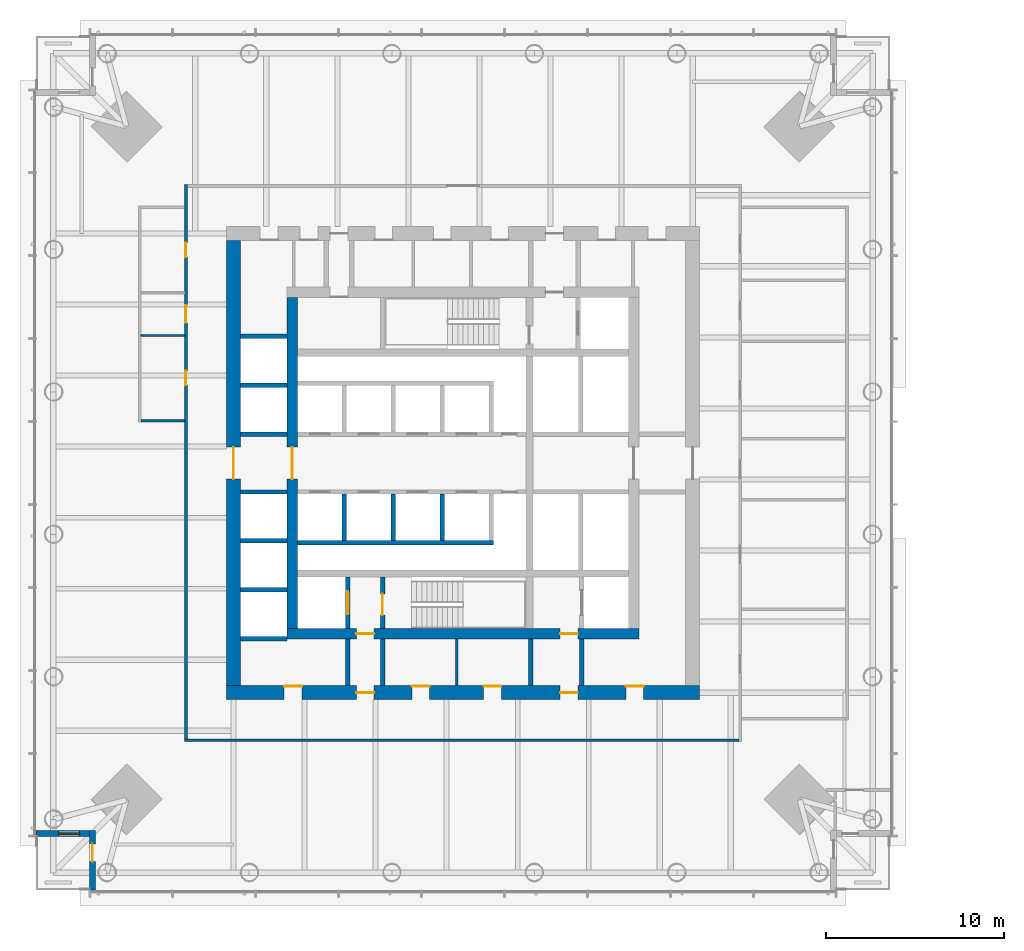
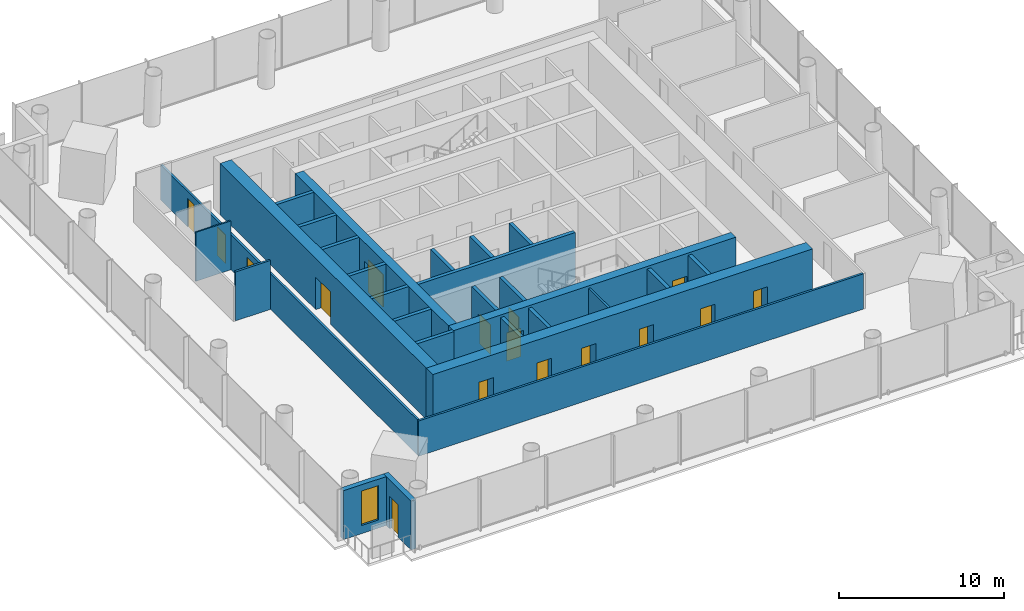
# One storey, part 9 of 26: 28 walls, 16 doors, 1 window, 17 openings.
"""IFC4 building model written with IfcOpenShell, lengths in metres."""

from ifc_helpers import new_model, si_unit, direction, frame, frame_2d, origin, place, context, subcontext, project, spatial, rectangle, extrude, material, layer, layer_set, type_object, element, fill, save


model = new_model("IFC4")

# Units and contexts
model_context = context("Model", 3, precision=1e-05, world=origin(), true_north=direction((0.0, 1.0)))
body_context = subcontext(model_context, "Body", "Model", "MODEL_VIEW")
ifc_project = project(units=[si_unit("LENGTHUNIT", "METRE"), si_unit("AREAUNIT", "SQUARE_METRE"), si_unit("VOLUMEUNIT", "CUBIC_METRE"), si_unit("PLANEANGLEUNIT", "RADIAN"), si_unit("MASSUNIT", "GRAM", prefix="KILO")], contexts=[model_context])

# Site, building, storey
site_placement = place(None, origin())
site = spatial("IfcSite", under=ifc_project, at=site_placement, CompositionType="ELEMENT")
building_placement = place(site_placement, origin())
building = spatial("IfcBuilding", under=site, at=building_placement, Name="Ostroluk Exchange", CompositionType="ELEMENT")
storey_placement = place(building_placement, frame((0.0, 0.0, 51.39990234375)))
storey = spatial("IfcBuildingStorey", under=building, at=storey_placement, Name="L12", CompositionType="ELEMENT", Elevation=51.39990234375)

# Walls
ifc_material_1 = material(Name="Concrete blockwork", Category="masonry")
ifc_layer_1 = layer(ifc_material_1, 0.10009765625)
ifc_layer_set_1 = layer_set([ifc_layer_1], Name="Blockwork WC wall 100")
wall_type_1 = type_object("IfcWallType", Name="Blockwork WC wall 100", PredefinedType="SOLIDWALL", material=ifc_layer_set_1)
wall_1_placement = place(storey_placement, frame((29.35009765625, 53.175048828125, 0.0), z_axis=(0.0, 0.0, 1.0), x_axis=(-1.0, 0.0, 0.0)))
element("IfcWall", 1, at=wall_1_placement, inside=storey, type_object=wall_type_1, Name="Blockwork WC wall", PredefinedType="SOLIDWALL", context=body_context, shape_type="SweptSolid", body=[
    extrude(rectangle(XDim=2.4501953125, YDim=0.10009765625, at=frame_2d((1.22509765625, 0.0))), origin(), (0.0, 0.0, 1.0), 3.6201171875),
])
ifc_material_2 = material(Name="Concrete blockwork", Category="masonry")
ifc_layer_2 = layer(ifc_material_2, 0.14990234375)
ifc_layer_set_2 = layer_set([ifc_layer_2], Name="Blockwork plant room wall 150")
wall_type_2 = type_object("IfcWallType", Name="Blockwork plant room wall 150", PredefinedType="SOLIDWALL", material=ifc_layer_set_2)
wall_2_placement = place(storey_placement, frame((44.639892578125, 33.5, 0.0), z_axis=(0.0, 0.0, 1.0), x_axis=(0.0, 1.0, 0.0)))
element("IfcWall", 2, at=wall_2_placement, inside=storey, type_object=wall_type_2, Name="Core room wall", PredefinedType="SOLIDWALL", context=body_context, shape_type="SweptSolid", body=[
    extrude(rectangle(XDim=2.60009765625, YDim=0.14990234375, at=frame_2d((1.300048828125, 0.0))), origin(), (0.0, 0.0, 1.0), 3.6201171875),
])
ifc_material_3 = material(Name="Concrete blockwork", Category="masonry")
ifc_layer_3 = layer(ifc_material_3, 0.25)
ifc_layer_set_3 = layer_set([ifc_layer_3], Name="Blockwork stair enclosure wall 250")
wall_type_3 = type_object("IfcWallType", Name="Blockwork stair enclosure wall 250", PredefinedType="SOLIDWALL", material=ifc_layer_set_3)
for number, where, z_axis, x_axis, name in (
    (3, (38.52490234375, 33.5, 0.0), (0.0, 0.0, 1.0), (0.0, 1.0, 0.0), "Fire lobby enclosure wall"),
    (4, (40.47509765625, 33.5, 0.0), (0.0, 0.0, 1.0), (0.0, 1.0, 0.0), "Fire lobby enclosure wall"),
    (5, (48.804931640625, 33.5, 0.0), (0.0, 0.0, 1.0), (0.0, 1.0, 0.0), "Service lobby enclosure wall"),
    (6, (51.675048828125, 33.5, 0.0), (0.0, 0.0, 1.0), (0.0, 1.0, 0.0), "Service lobby enclosure wall"),
):
    element("IfcWall", number, at=place(storey_placement, frame(where, z_axis=z_axis, x_axis=x_axis)), inside=storey, type_object=wall_type_3, Name=name, PredefinedType="SOLIDWALL", context=body_context, shape_type="SweptSolid", body=[
        extrude(rectangle(XDim=2.60009765625, YDim=0.25, at=frame_2d((1.300048828125, 0.0))), origin(), (0.0, 0.0, 1.0), 3.6201171875),
    ])

# Wall, opening, door
ifc_material_4 = material(Name="Concrete C40/50", Category="concrete")
ifc_layer_4 = layer(ifc_material_4, 0.25)
ifc_layer_set_4 = layer_set([ifc_layer_4], Name="Core shaft wall 250")
wall_type_4 = type_object("IfcWallType", Name="Core shaft wall 250", PredefinedType="SHEAR", material=ifc_layer_set_4)
wall_3_placement = place(storey_placement, frame((38.52490234375, 36.699951171875, 0.0), z_axis=(0.0, 0.0, 1.0), x_axis=(0.0, 1.0, 0.0)))
wall_3 = element("IfcWall", 7, at=wall_3_placement, inside=storey, type_object=wall_type_4, Name="Firefighting lift shaft wall", PredefinedType="SHEAR", context=body_context, shape_type="SweptSolid", body=[
    extrude(rectangle(XDim=2.900146484375, YDim=0.25, at=frame_2d((1.4501953125, 0.0))), origin(), (0.0, 0.0, 1.0), 3.800048828125),
])
opening_1_placement = place(wall_3_placement, frame((0.800048828125, 0.0, 0.0)))
opening_1 = element("IfcOpeningElement", 8, at=opening_1_placement, cuts=wall_3, Name="Opening LD2", PredefinedType="OPENING", context=body_context, shape_type="SweptSolid", body=[
    extrude(rectangle(XDim=1.300048828125, YDim=2.199951171875, at=frame_2d((0.64990234375, 1.10009765625))), frame((0.0, 0.135009765625, 0.0), z_axis=(0.0, -1.0, 0.0), x_axis=(1.0, 0.0, 0.0)), (0.0, 0.0, 1.0), 0.27001953125),
])
ifc_material_5 = material(Name="Stainless steel", Category="steel")
door_type_1 = type_object("IfcDoorType", Name="Lift landing door E 60 1300 x 2200", OperationType="DOUBLE_DOOR_SLIDING", PredefinedType="DOOR", material=ifc_material_5)
door_1_placement = place(opening_1_placement, origin())
door_1 = element("IfcDoor", 9, at=door_1_placement, inside=storey, type_object=door_type_1, Name="Lift FL1 landing door", OperationType="DOUBLE_DOOR_SLIDING", OverallHeight=2.199951171875, OverallWidth=1.300048828125, PredefinedType="DOOR", context=body_context, shape_type="SweptSolid", body=[
    extrude(rectangle(XDim=1.300048828125, YDim=2.199951171875, at=frame_2d((0.64990234375, 1.10009765625))), frame((0.0, 0.02490234375, 0.0), z_axis=(0.0, -1.0, 0.0), x_axis=(1.0, 0.0, 0.0)), (0.0, 0.0, 1.0), 0.050048828125),
])
fill(opening_1, door_1)

wall_4_placement = place(storey_placement, frame((40.47509765625, 36.699951171875, 0.0), z_axis=(0.0, 0.0, 1.0), x_axis=(0.0, 1.0, 0.0)))
wall_4 = element("IfcWall", 10, at=wall_4_placement, inside=storey, type_object=wall_type_4, Name="Stair shaft wall", PredefinedType="SHEAR", context=body_context, shape_type="SweptSolid", body=[
    extrude(rectangle(XDim=2.900146484375, YDim=0.25, at=frame_2d((1.4501953125, 0.0))), origin(), (0.0, 0.0, 1.0), 3.800048828125),
])
opening_2_placement = place(wall_4_placement, frame((0.75, 0.0, 0.0)))
opening_2 = element("IfcOpeningElement", 11, at=opening_2_placement, cuts=wall_4, Name="Opening FD60S", PredefinedType="OPENING", context=body_context, shape_type="SweptSolid", body=[
    extrude(rectangle(XDim=1.199951171875, YDim=2.10009765625, at=frame_2d((0.60009765625, 1.050048828125))), frame((0.0, 0.135009765625, 0.0), z_axis=(0.0, -1.0, 0.0), x_axis=(1.0, 0.0, 0.0)), (0.0, 0.0, 1.0), 0.27001953125),
])
ifc_material_6 = material(Name="Steel", Category="steel")
door_type_2 = type_object("IfcDoorType", Name="Stair door EI 60 1200 x 2100", OperationType="SINGLE_SWING_LEFT", PredefinedType="DOOR", material=ifc_material_6)
door_2_placement = place(opening_2_placement, origin())
door_2 = element("IfcDoor", 12, at=door_2_placement, inside=storey, type_object=door_type_2, Name="Stair T1-S1 door", OperationType="SINGLE_SWING_LEFT", OverallHeight=2.10009765625, OverallWidth=1.199951171875, PredefinedType="DOOR", context=body_context, shape_type="SweptSolid", body=[
    extrude(rectangle(XDim=1.199951171875, YDim=2.10009765625, at=frame_2d((0.60009765625, 1.050048828125))), frame((0.0, 0.02490234375, 0.0), z_axis=(0.0, -1.0, 0.0), x_axis=(1.0, 0.0, 0.0)), (0.0, 0.0, 1.0), 0.050048828125),
])
fill(opening_2, door_2)

# Walls
for number, where, z_axis, x_axis, name in (
    (13, (38.324951171875, 44.25, 0.0), (0.0, 0.0, 1.0), (0.0, -1.0, 0.0), "Lift shaft wall"),
    (14, (41.074951171875, 44.25, 0.0), (0.0, 0.0, 1.0), (0.0, -1.0, 0.0), "Lift shaft wall"),
    (15, (43.824951171875, 44.25, 0.0), (0.0, 0.0, 1.0), (0.0, -1.0, 0.0), "Lift shaft wall"),
):
    element("IfcWall", number, at=place(storey_placement, frame(where, z_axis=z_axis, x_axis=x_axis)), inside=storey, type_object=wall_type_4, Name=name, PredefinedType="SHEAR", context=body_context, shape_type="SweptSolid", body=[
        extrude(rectangle(XDim=2.60009765625, YDim=0.25, at=frame_2d((1.300048828125, 0.0))), origin(), (0.0, 0.0, 1.0), 3.800048828125),
    ])
wall_5_placement = place(storey_placement, frame((35.699951171875, 41.52490234375, 0.0), z_axis=(0.0, 0.0, 1.0), x_axis=(1.0, 0.0, 0.0)))
element("IfcWall", 16, at=wall_5_placement, inside=storey, type_object=wall_type_4, Name="Lift shaft wall", PredefinedType="SHEAR", context=body_context, shape_type="SweptSolid", body=[
    extrude(rectangle(XDim=11.0, YDim=0.25, at=frame_2d((5.5, 0.0))), origin(), (0.0, 0.0, 1.0), 3.800048828125),
])
for number, where, z_axis, x_axis, name in (
    (17, (32.5, 36.125, 0.0), (0.0, 0.0, 1.0), (1.0, 0.0, 0.0), "Lift shaft wall"),
    (18, (32.5, 38.875, 0.0), (0.0, 0.0, 1.0), (1.0, 0.0, 0.0), "Lift shaft wall"),
    (19, (32.5, 41.625, 0.0), (0.0, 0.0, 1.0), (1.0, 0.0, 0.0), "Lift shaft wall"),
    (20, (32.5, 44.375, 0.0), (0.0, 0.0, 1.0), (1.0, 0.0, 0.0), "Lift shaft wall"),
    (21, (32.5, 47.625, 0.0), (0.0, 0.0, 1.0), (1.0, 0.0, 0.0), "Lift shaft wall"),
    (22, (32.5, 50.375, 0.0), (0.0, 0.0, 1.0), (1.0, 0.0, 0.0), "Lift shaft wall"),
    (23, (32.5, 53.125, 0.0), (0.0, 0.0, 1.0), (1.0, 0.0, 0.0), "Lift shaft wall"),
):
    element("IfcWall", number, at=place(storey_placement, frame(where, z_axis=z_axis, x_axis=x_axis)), inside=storey, type_object=wall_type_4, Name=name, PredefinedType="SHEAR", context=body_context, shape_type="SweptSolid", body=[
        extrude(rectangle(XDim=2.60009765625, YDim=0.25, at=frame_2d((1.300048828125, 0.0))), origin(), (0.0, 0.0, 1.0), 3.800048828125),
    ])

# Wall, openings, doors
ifc_material_7 = material(Name="Concrete C50/60", Category="concrete")
ifc_layer_5 = layer(ifc_material_7, 0.60009765625)
ifc_layer_set_5 = layer_set([ifc_layer_5], Name="Core wall 600 C50/60")
wall_type_5 = type_object("IfcWallType", Name="Core wall 600 C50/60", PredefinedType="SHEAR", material=ifc_layer_set_5)
wall_6_placement = place(storey_placement, frame((35.10009765625, 36.39990234375, 0.0), z_axis=(0.0, 0.0, 1.0), x_axis=(1.0, 0.0, 0.0)))
wall_6 = element("IfcWall", 24, at=wall_6_placement, inside=storey, type_object=wall_type_5, Name="T1 core wall S", PredefinedType="SHEAR", context=body_context, shape_type="SweptSolid", body=[
    extrude(rectangle(XDim=19.7998046875, YDim=0.60009765625, at=frame_2d((9.89990234375, 0.0))), origin(), (0.0, 0.0, 1.0), 3.800048828125),
])
opening_3_placement = place(wall_6_placement, frame((3.89990234375, 0.0, 0.0)))
opening_3 = element("IfcOpeningElement", 25, at=opening_3_placement, cuts=wall_6, Name="Opening FD60", PredefinedType="OPENING", context=body_context, shape_type="SweptSolid", body=[
    extrude(rectangle(XDim=1.0, YDim=2.10009765625, at=frame_2d((0.5, 1.050048828125))), frame((0.0, 0.31005859375, 0.0), z_axis=(0.0, -1.0, 0.0), x_axis=(1.0, 0.0, 0.0)), (0.0, 0.0, 1.0), 0.6201171875),
])
opening_4_placement = place(wall_6_placement, frame((15.35009765625, 0.0, 0.0)))
opening_4 = element("IfcOpeningElement", 26, at=opening_4_placement, cuts=wall_6, Name="Opening FD60", PredefinedType="OPENING", context=body_context, shape_type="SweptSolid", body=[
    extrude(rectangle(XDim=1.0, YDim=2.10009765625, at=frame_2d((0.5, 1.050048828125))), frame((0.0, 0.31005859375, 0.0), z_axis=(0.0, -1.0, 0.0), x_axis=(1.0, 0.0, 0.0)), (0.0, 0.0, 1.0), 0.6201171875),
])
ifc_material_8 = material(Name="Steel", Category="steel")
door_type_3 = type_object("IfcDoorType", Name="Fire door EI 60 1000 x 2100", OperationType="SINGLE_SWING_LEFT", PredefinedType="DOOR", material=ifc_material_8)
door_3_placement = place(opening_3_placement, origin())
door_3 = element("IfcDoor", 27, at=door_3_placement, inside=storey, type_object=door_type_3, Name="Firefighting lobby door", OperationType="SINGLE_SWING_LEFT", OverallHeight=2.10009765625, OverallWidth=1.0, PredefinedType="DOOR", context=body_context, shape_type="SweptSolid", body=[
    extrude(rectangle(XDim=1.0, YDim=2.10009765625, at=frame_2d((0.5, 1.050048828125))), frame((0.0, 0.02490234375, 0.0), z_axis=(0.0, -1.0, 0.0), x_axis=(1.0, 0.0, 0.0)), (0.0, 0.0, 1.0), 0.050048828125),
])
fill(opening_3, door_3)
door_4_placement = place(opening_4_placement, origin())
door_4 = element("IfcDoor", 28, at=door_4_placement, inside=storey, type_object=door_type_3, Name="Service lobby door", OperationType="SINGLE_SWING_RIGHT", OverallHeight=2.10009765625, OverallWidth=1.0, PredefinedType="DOOR", context=body_context, shape_type="SweptSolid", body=[
    extrude(rectangle(XDim=1.0, YDim=2.10009765625, at=frame_2d((0.5, 1.050048828125))), frame((0.0, 0.02490234375, 0.0), z_axis=(0.0, -1.0, 0.0), x_axis=(1.0, 0.0, 0.0)), (0.0, 0.0, 1.0), 0.050048828125),
])
fill(opening_4, door_4)

# Wall, opening, door
wall_7_placement = place(storey_placement, frame((35.39990234375, 36.699951171875, 0.0), z_axis=(0.0, 0.0, 1.0), x_axis=(0.0, 1.0, 0.0)))
wall_7 = element("IfcWall", 29, at=wall_7_placement, inside=storey, type_object=wall_type_5, Name="T1 core wall W", PredefinedType="SHEAR", context=body_context, shape_type="SweptSolid", body=[
    extrude(rectangle(XDim=18.60009765625, YDim=0.60009765625, at=frame_2d((9.300048828125, 0.0))), origin(), (0.0, 0.0, 1.0), 3.800048828125),
])
opening_5_placement = place(wall_7_placement, frame((8.39990234375, 0.0, 0.0)))
opening_5 = element("IfcOpeningElement", 30, at=opening_5_placement, cuts=wall_7, Name="Opening FD30D", PredefinedType="OPENING", context=body_context, shape_type="SweptSolid", body=[
    extrude(rectangle(XDim=1.800048828125, YDim=2.39990234375, at=frame_2d((0.89990234375, 1.199951171875))), frame((0.0, 0.31005859375, 0.0), z_axis=(0.0, -1.0, 0.0), x_axis=(1.0, 0.0, 0.0)), (0.0, 0.0, 1.0), 0.6201171875),
])
ifc_material_9 = material(Name="Timber", Category="wood")
door_type_4 = type_object("IfcDoorType", Name="Lobby double door EI 30 1800 x 2400", OperationType="DOUBLE_DOOR_SINGLE_SWING", PredefinedType="DOOR", material=ifc_material_9)
door_5_placement = place(opening_5_placement, origin())
door_5 = element("IfcDoor", 31, at=door_5_placement, inside=storey, type_object=door_type_4, Name="Lift lobby doors", OperationType="DOUBLE_DOOR_SINGLE_SWING", OverallHeight=2.39990234375, OverallWidth=1.800048828125, PredefinedType="DOOR", context=body_context, shape_type="SweptSolid", body=[
    extrude(rectangle(XDim=1.800048828125, YDim=2.39990234375, at=frame_2d((0.89990234375, 1.199951171875))), frame((0.0, 0.02490234375, 0.0), z_axis=(0.0, -1.0, 0.0), x_axis=(1.0, 0.0, 0.0)), (0.0, 0.0, 1.0), 0.050048828125),
])
fill(opening_5, door_5)

# Wall, openings, doors
ifc_material_10 = material(Name="Concrete C50/60", Category="concrete")
ifc_layer_6 = layer(ifc_material_10, 0.800048828125)
ifc_layer_set_6 = layer_set([ifc_layer_6], Name="Core wall 800 C50/60")
wall_type_6 = type_object("IfcWallType", Name="Core wall 800 C50/60", PredefinedType="SHEAR", material=ifc_layer_set_6)
wall_8_placement = place(storey_placement, frame((31.699951171875, 33.10009765625, 0.0), z_axis=(0.0, 0.0, 1.0), x_axis=(1.0, 0.0, 0.0)))
wall_8 = element("IfcWall", 32, at=wall_8_placement, inside=storey, type_object=wall_type_6, Name="T1 core wall RS", PredefinedType="SHEAR", context=body_context, shape_type="SweptSolid", body=[
    extrude(rectangle(XDim=26.60009765625, YDim=0.800048828125, at=frame_2d((13.300048828125, 0.0))), origin(), (0.0, 0.0, 1.0), 3.800048828125),
])
opening_6_placement = place(wall_8_placement, frame((7.300048828125, 0.0, 0.0)))
opening_6 = element("IfcOpeningElement", 33, at=opening_6_placement, cuts=wall_8, Name="Opening FD60", PredefinedType="OPENING", context=body_context, shape_type="SweptSolid", body=[
    extrude(rectangle(XDim=1.0, YDim=2.10009765625, at=frame_2d((0.5, 1.050048828125))), frame((0.0, 0.409912109375, 0.0), z_axis=(0.0, -1.0, 0.0), x_axis=(1.0, 0.0, 0.0)), (0.0, 0.0, 1.0), 0.820068359375),
])
opening_7_placement = place(wall_8_placement, frame((18.75, 0.0, 0.0)))
opening_7 = element("IfcOpeningElement", 34, at=opening_7_placement, cuts=wall_8, Name="Opening FD60", PredefinedType="OPENING", context=body_context, shape_type="SweptSolid", body=[
    extrude(rectangle(XDim=1.0, YDim=2.10009765625, at=frame_2d((0.5, 1.050048828125))), frame((0.0, 0.409912109375, 0.0), z_axis=(0.0, -1.0, 0.0), x_axis=(1.0, 0.0, 0.0)), (0.0, 0.0, 1.0), 0.820068359375),
])
opening_8_placement = place(wall_8_placement, frame((3.25, 0.0, 0.0)))
opening_8 = element("IfcOpeningElement", 35, at=opening_8_placement, cuts=wall_8, Name="Opening FD60", PredefinedType="OPENING", context=body_context, shape_type="SweptSolid", body=[
    extrude(rectangle(XDim=1.0, YDim=2.10009765625, at=frame_2d((0.5, 1.050048828125))), frame((0.0, 0.409912109375, 0.0), z_axis=(0.0, -1.0, 0.0), x_axis=(1.0, 0.0, 0.0)), (0.0, 0.0, 1.0), 0.820068359375),
])
opening_9_placement = place(wall_8_placement, frame((10.419921875, 0.0, 0.0)))
opening_9 = element("IfcOpeningElement", 36, at=opening_9_placement, cuts=wall_8, Name="Opening FD60", PredefinedType="OPENING", context=body_context, shape_type="SweptSolid", body=[
    extrude(rectangle(XDim=1.0, YDim=2.10009765625, at=frame_2d((0.5, 1.050048828125))), frame((0.0, 0.409912109375, 0.0), z_axis=(0.0, -1.0, 0.0), x_axis=(1.0, 0.0, 0.0)), (0.0, 0.0, 1.0), 0.820068359375),
])
opening_10_placement = place(wall_8_placement, frame((14.4599609375, 0.0, 0.0)))
opening_10 = element("IfcOpeningElement", 37, at=opening_10_placement, cuts=wall_8, Name="Opening FD60", PredefinedType="OPENING", context=body_context, shape_type="SweptSolid", body=[
    extrude(rectangle(XDim=1.0, YDim=2.10009765625, at=frame_2d((0.5, 1.050048828125))), frame((0.0, 0.409912109375, 0.0), z_axis=(0.0, -1.0, 0.0), x_axis=(1.0, 0.0, 0.0)), (0.0, 0.0, 1.0), 0.820068359375),
])
opening_11_placement = place(wall_8_placement, frame((22.449951171875, 0.0, 0.0)))
opening_11 = element("IfcOpeningElement", 38, at=opening_11_placement, cuts=wall_8, Name="Opening FD60", PredefinedType="OPENING", context=body_context, shape_type="SweptSolid", body=[
    extrude(rectangle(XDim=1.0, YDim=2.10009765625, at=frame_2d((0.5, 1.050048828125))), frame((0.0, 0.409912109375, 0.0), z_axis=(0.0, -1.0, 0.0), x_axis=(1.0, 0.0, 0.0)), (0.0, 0.0, 1.0), 0.820068359375),
])
door_6_placement = place(opening_6_placement, origin())
door_6 = element("IfcDoor", 39, at=door_6_placement, inside=storey, type_object=door_type_3, Name="Firefighting lobby door", OperationType="SINGLE_SWING_LEFT", OverallHeight=2.10009765625, OverallWidth=1.0, PredefinedType="DOOR", context=body_context, shape_type="SweptSolid", body=[
    extrude(rectangle(XDim=1.0, YDim=2.10009765625, at=frame_2d((0.5, 1.050048828125))), frame((0.0, 0.02490234375, 0.0), z_axis=(0.0, -1.0, 0.0), x_axis=(1.0, 0.0, 0.0)), (0.0, 0.0, 1.0), 0.050048828125),
])
fill(opening_6, door_6)
door_7_placement = place(opening_7_placement, origin())
door_7 = element("IfcDoor", 40, at=door_7_placement, inside=storey, type_object=door_type_3, Name="Service lobby door", OperationType="SINGLE_SWING_RIGHT", OverallHeight=2.10009765625, OverallWidth=1.0, PredefinedType="DOOR", context=body_context, shape_type="SweptSolid", body=[
    extrude(rectangle(XDim=1.0, YDim=2.10009765625, at=frame_2d((0.5, 1.050048828125))), frame((0.0, 0.02490234375, 0.0), z_axis=(0.0, -1.0, 0.0), x_axis=(1.0, 0.0, 0.0)), (0.0, 0.0, 1.0), 0.050048828125),
])
fill(opening_7, door_7)
door_8_placement = place(opening_8_placement, origin())
door_8 = element("IfcDoor", 41, at=door_8_placement, inside=storey, type_object=door_type_3, Name="Archive door", OperationType="SINGLE_SWING_LEFT", OverallHeight=2.10009765625, OverallWidth=1.0, PredefinedType="DOOR", context=body_context, shape_type="SweptSolid", body=[
    extrude(rectangle(XDim=1.0, YDim=2.10009765625, at=frame_2d((0.5, 1.050048828125))), frame((0.0, 0.39013671875, 0.0), z_axis=(0.0, -1.0, 0.0), x_axis=(1.0, 0.0, 0.0)), (0.0, 0.0, 1.0), 0.050048828125),
])
fill(opening_8, door_8)
door_9_placement = place(opening_9_placement, origin())
door_9 = element("IfcDoor", 42, at=door_9_placement, inside=storey, type_object=door_type_3, Name="Tea point door", OperationType="SINGLE_SWING_LEFT", OverallHeight=2.10009765625, OverallWidth=1.0, PredefinedType="DOOR", context=body_context, shape_type="SweptSolid", body=[
    extrude(rectangle(XDim=1.0, YDim=2.10009765625, at=frame_2d((0.5, 1.050048828125))), frame((0.0, 0.39013671875, 0.0), z_axis=(0.0, -1.0, 0.0), x_axis=(1.0, 0.0, 0.0)), (0.0, 0.0, 1.0), 0.050048828125),
])
fill(opening_9, door_9)
door_10_placement = place(opening_10_placement, origin())
door_10 = element("IfcDoor", 43, at=door_10_placement, inside=storey, type_object=door_type_3, Name="Print and post room door", OperationType="SINGLE_SWING_RIGHT", OverallHeight=2.10009765625, OverallWidth=1.0, PredefinedType="DOOR", context=body_context, shape_type="SweptSolid", body=[
    extrude(rectangle(XDim=1.0, YDim=2.10009765625, at=frame_2d((0.5, 1.050048828125))), frame((0.0, 0.39013671875, 0.0), z_axis=(0.0, -1.0, 0.0), x_axis=(1.0, 0.0, 0.0)), (0.0, 0.0, 1.0), 0.050048828125),
])
fill(opening_10, door_10)
door_11_placement = place(opening_11_placement, origin())
door_11 = element("IfcDoor", 44, at=door_11_placement, inside=storey, type_object=door_type_3, Name="Tenant IT room door", OperationType="SINGLE_SWING_RIGHT", OverallHeight=2.10009765625, OverallWidth=1.0, PredefinedType="DOOR", context=body_context, shape_type="SweptSolid", body=[
    extrude(rectangle(XDim=1.0, YDim=2.10009765625, at=frame_2d((0.5, 1.050048828125))), frame((0.0, 0.39013671875, 0.0), z_axis=(0.0, -1.0, 0.0), x_axis=(1.0, 0.0, 0.0)), (0.0, 0.0, 1.0), 0.050048828125),
])
fill(opening_11, door_11)

# Wall, opening, door
wall_9_placement = place(storey_placement, frame((32.10009765625, 33.5, 0.0), z_axis=(0.0, 0.0, 1.0), x_axis=(0.0, 1.0, 0.0)))
wall_9 = element("IfcWall", 45, at=wall_9_placement, inside=storey, type_object=wall_type_6, Name="T1 core wall RW", PredefinedType="SHEAR", context=body_context, shape_type="SweptSolid", body=[
    extrude(rectangle(XDim=25.0, YDim=0.800048828125, at=frame_2d((12.5, 0.0))), origin(), (0.0, 0.0, 1.0), 3.800048828125),
])
opening_12_placement = place(wall_9_placement, frame((11.60009765625, 0.0, 0.0)))
opening_12 = element("IfcOpeningElement", 46, at=opening_12_placement, cuts=wall_9, Name="Opening FD30D", PredefinedType="OPENING", context=body_context, shape_type="SweptSolid", body=[
    extrude(rectangle(XDim=1.800048828125, YDim=2.39990234375, at=frame_2d((0.89990234375, 1.199951171875))), frame((0.0, 0.409912109375, 0.0), z_axis=(0.0, -1.0, 0.0), x_axis=(1.0, 0.0, 0.0)), (0.0, 0.0, 1.0), 0.820068359375),
])
door_12_placement = place(opening_12_placement, origin())
door_12 = element("IfcDoor", 47, at=door_12_placement, inside=storey, type_object=door_type_4, Name="Lift lobby doors", OperationType="DOUBLE_DOOR_SINGLE_SWING", OverallHeight=2.39990234375, OverallWidth=1.800048828125, PredefinedType="DOOR", context=body_context, shape_type="SweptSolid", body=[
    extrude(rectangle(XDim=1.800048828125, YDim=2.39990234375, at=frame_2d((0.89990234375, 1.199951171875))), frame((0.0, 0.02490234375, 0.0), z_axis=(0.0, -1.0, 0.0), x_axis=(1.0, 0.0, 0.0)), (0.0, 0.0, 1.0), 0.050048828125),
])
fill(opening_12, door_12)

ifc_material_11 = material(Name="Limestone", Category="masonry")
ifc_layer_7 = layer(ifc_material_11, 0.35009765625)
ifc_layer_set_7 = layer_set([ifc_layer_7], Name="Limestone facade wall 350")
wall_type_7 = type_object("IfcWallType", Name="Limestone facade wall 350", PredefinedType="SOLIDWALL", material=ifc_layer_set_7)
wall_10_placement = place(storey_placement, frame((24.175048828125, 22.0, 0.0), z_axis=(0.0, 0.0, 1.0), x_axis=(0.0, 1.0, 0.0)))
wall_10 = element("IfcWall", 48, at=wall_10_placement, inside=storey, type_object=wall_type_7, Name="Office tower SW corner wall L12 a", PredefinedType="SOLIDWALL", context=body_context, shape_type="SweptSolid", body=[
    extrude(rectangle(XDim=3.35009765625, YDim=0.35009765625, at=frame_2d((1.675048828125, 0.0))), origin(), (0.0, 0.0, 1.0), 3.6201171875),
])
opening_13_placement = place(wall_10_placement, frame((1.60009765625, 0.0, 0.0)))
opening_13 = element("IfcOpeningElement", 49, at=opening_13_placement, cuts=wall_10, Name="Opening D-B1", PredefinedType="OPENING", context=body_context, shape_type="SweptSolid", body=[
    extrude(rectangle(XDim=1.0, YDim=2.39990234375, at=frame_2d((0.5, 1.199951171875))), frame((0.0, 0.18505859375, 0.0), z_axis=(0.0, -1.0, 0.0), x_axis=(1.0, 0.0, 0.0)), (0.0, 0.0, 1.0), 0.3701171875),
])
ifc_material_12 = material(Name="Bronze framed glazed door", Category="aluminium")
door_type_5 = type_object("IfcDoorType", Name="Balcony door 1000 x 2400", OperationType="SINGLE_SWING_LEFT", PredefinedType="DOOR", material=ifc_material_12)
door_13_placement = place(opening_13_placement, origin())
door_13 = element("IfcDoor", 50, at=door_13_placement, inside=storey, type_object=door_type_5, Name="Office tower SW balcony door L12", OperationType="SINGLE_SWING_RIGHT", OverallHeight=2.39990234375, OverallWidth=1.0, PredefinedType="DOOR", context=body_context, shape_type="SweptSolid", body=[
    extrude(rectangle(XDim=1.0, YDim=2.39990234375, at=frame_2d((0.5, 1.199951171875))), frame((0.0, 0.02490234375, 0.0), z_axis=(0.0, -1.0, 0.0), x_axis=(1.0, 0.0, 0.0)), (0.0, 0.0, 1.0), 0.050048828125),
])
fill(opening_13, door_13)

# Wall, opening, window
wall_11_placement = place(storey_placement, frame((24.0, 25.175048828125, 0.0), z_axis=(0.0, 0.0, 1.0), x_axis=(-1.0, 0.0, 0.0)))
wall_11 = element("IfcWall", 51, at=wall_11_placement, inside=storey, type_object=wall_type_7, Name="Office tower SW corner wall L12 b", PredefinedType="SOLIDWALL", context=body_context, shape_type="SweptSolid", body=[
    extrude(rectangle(XDim=3.0, YDim=0.35009765625, at=frame_2d((1.5, 0.0))), origin(), (0.0, 0.0, 1.0), 3.6201171875),
])
opening_14_placement = place(wall_11_placement, frame((0.550048828125, 0.0, 0.60009765625)))
opening_14 = element("IfcOpeningElement", 52, at=opening_14_placement, cuts=wall_11, Name="Opening WN-L1", PredefinedType="OPENING", context=body_context, shape_type="SweptSolid", body=[
    extrude(rectangle(XDim=1.199951171875, YDim=2.550048828125, at=frame_2d((0.60009765625, 1.27490234375))), frame((0.0, 0.18505859375, 0.0), z_axis=(0.0, -1.0, 0.0), x_axis=(1.0, 0.0, 0.0)), (0.0, 0.0, 1.0), 0.3701171875),
])
ifc_material_13 = material(Name="Laminated clear glass", Category="glass")
window_type = type_object("IfcWindowType", Name="Lancet window 1200 x 2550", PartitioningType="SINGLE_PANEL", PredefinedType="WINDOW", material=ifc_material_13)
window_placement = place(opening_14_placement, origin())
window = element("IfcWindow", 53, at=window_placement, inside=storey, type_object=window_type, Name="Office tower SW lancet window L12", OverallHeight=2.550048828125, OverallWidth=1.199951171875, PartitioningType="SINGLE_PANEL", PredefinedType="WINDOW", context=body_context, shape_type="SweptSolid", body=[
    extrude(rectangle(XDim=1.199951171875, YDim=2.550048828125, at=frame_2d((0.60009765625, 1.27490234375))), frame((0.0, 0.030029296875, 0.0), z_axis=(0.0, -1.0, 0.0), x_axis=(1.0, 0.0, 0.0)), (0.0, 0.0, 1.0), 0.06005859375),
])
fill(opening_14, window)

# Wall, openings, doors
ifc_material_14 = material(Name="Gypsum plasterboard partition", Category="gypsum")
ifc_layer_8 = layer(ifc_material_14, 0.14990234375)
ifc_layer_set_8 = layer_set([ifc_layer_8], Name="Plasterboard partition 150")
wall_type_8 = type_object("IfcWallType", Name="Plasterboard partition 150", PredefinedType="PARTITIONING", material=ifc_layer_set_8)
wall_12_placement = place(storey_placement, frame((29.425048828125, 61.64990234375, 0.0), z_axis=(0.0, 0.0, 1.0), x_axis=(0.0, -1.0, 0.0)))
wall_12 = element("IfcWall", 54, at=wall_12_placement, inside=storey, type_object=wall_type_8, Name="Corridor wall", PredefinedType="PARTITIONING", context=body_context, shape_type="SweptSolid", body=[
    extrude(rectangle(XDim=31.14990234375, YDim=0.14990234375, at=frame_2d((15.574951171875, 0.0))), origin(), (0.0, 0.0, 1.0), 2.612060546875),
])
opening_15_placement = place(wall_12_placement, frame((3.27490234375, 0.0, 0.0)))
opening_15 = element("IfcOpeningElement", 55, at=opening_15_placement, cuts=wall_12, Name="Opening D-06", PredefinedType="OPENING", context=body_context, shape_type="SweptSolid", body=[
    extrude(rectangle(XDim=0.800048828125, YDim=2.10009765625, at=frame_2d((0.39990234375, 1.050048828125))), frame((0.0, 0.0849609375, 0.0), z_axis=(0.0, -1.0, 0.0), x_axis=(1.0, 0.0, 0.0)), (0.0, 0.0, 1.0), 0.169921875),
])
opening_16_placement = place(wall_12_placement, frame((6.77490234375, 0.0, 0.0)))
opening_16 = element("IfcOpeningElement", 56, at=opening_16_placement, cuts=wall_12, Name="Opening D-03", PredefinedType="OPENING", context=body_context, shape_type="SweptSolid", body=[
    extrude(rectangle(XDim=1.0, YDim=2.10009765625, at=frame_2d((0.5, 1.050048828125))), frame((0.0, 0.0849609375, 0.0), z_axis=(0.0, -1.0, 0.0), x_axis=(1.0, 0.0, 0.0)), (0.0, 0.0, 1.0), 0.169921875),
])
opening_17_placement = place(wall_12_placement, frame((10.47509765625, 0.0, 0.0)))
opening_17 = element("IfcOpeningElement", 57, at=opening_17_placement, cuts=wall_12, Name="Opening D-06", PredefinedType="OPENING", context=body_context, shape_type="SweptSolid", body=[
    extrude(rectangle(XDim=0.800048828125, YDim=2.10009765625, at=frame_2d((0.39990234375, 1.050048828125))), frame((0.0, 0.0849609375, 0.0), z_axis=(0.0, -1.0, 0.0), x_axis=(1.0, 0.0, 0.0)), (0.0, 0.0, 1.0), 0.169921875),
])
ifc_material_15 = material(Name="Timber", Category="wood")
door_type_6 = type_object("IfcDoorType", Name="Internal door 1000 x 2100", OperationType="SINGLE_SWING_LEFT", PredefinedType="DOOR", material=ifc_material_15)
door_14_placement = place(opening_16_placement, origin())
door_14 = element("IfcDoor", 58, at=door_14_placement, inside=storey, type_object=door_type_6, Name="Accessible WC door", OperationType="SINGLE_SWING_LEFT", OverallHeight=2.10009765625, OverallWidth=1.0, PredefinedType="DOOR", context=body_context, shape_type="SweptSolid", body=[
    extrude(rectangle(XDim=1.0, YDim=2.10009765625, at=frame_2d((0.5, 1.050048828125))), frame((0.0, 0.02490234375, 0.0), z_axis=(0.0, -1.0, 0.0), x_axis=(1.0, 0.0, 0.0)), (0.0, 0.0, 1.0), 0.050048828125),
])
fill(opening_16, door_14)
ifc_material_16 = material(Name="Timber", Category="wood")
door_type_7 = type_object("IfcDoorType", Name="Toilet door 800 x 2100", OperationType="SINGLE_SWING_LEFT", PredefinedType="DOOR", material=ifc_material_16)
door_15_placement = place(opening_15_placement, origin())
door_15 = element("IfcDoor", 59, at=door_15_placement, inside=storey, type_object=door_type_7, Name="WC female door", OperationType="SINGLE_SWING_LEFT", OverallHeight=2.10009765625, OverallWidth=0.800048828125, PredefinedType="DOOR", context=body_context, shape_type="SweptSolid", body=[
    extrude(rectangle(XDim=0.800048828125, YDim=2.10009765625, at=frame_2d((0.39990234375, 1.050048828125))), frame((0.0, 0.02490234375, 0.0), z_axis=(0.0, -1.0, 0.0), x_axis=(1.0, 0.0, 0.0)), (0.0, 0.0, 1.0), 0.050048828125),
])
fill(opening_15, door_15)
door_16_placement = place(opening_17_placement, origin())
door_16 = element("IfcDoor", 60, at=door_16_placement, inside=storey, type_object=door_type_7, Name="WC male door", OperationType="SINGLE_SWING_LEFT", OverallHeight=2.10009765625, OverallWidth=0.800048828125, PredefinedType="DOOR", context=body_context, shape_type="SweptSolid", body=[
    extrude(rectangle(XDim=0.800048828125, YDim=2.10009765625, at=frame_2d((0.39990234375, 1.050048828125))), frame((0.0, 0.02490234375, 0.0), z_axis=(0.0, -1.0, 0.0), x_axis=(1.0, 0.0, 0.0)), (0.0, 0.0, 1.0), 0.050048828125),
])
fill(opening_17, door_16)

# Walls
wall_13_placement = place(storey_placement, frame((29.35009765625, 30.425048828125, 0.0), z_axis=(0.0, 0.0, 1.0), x_axis=(1.0, 0.0, 0.0)))
element("IfcWall", 61, at=wall_13_placement, inside=storey, type_object=wall_type_8, Name="Corridor wall", PredefinedType="PARTITIONING", context=body_context, shape_type="SweptSolid", body=[
    extrude(rectangle(XDim=31.14990234375, YDim=0.14990234375, at=frame_2d((15.574951171875, 0.0))), origin(), (0.0, 0.0, 1.0), 2.612060546875),
])
ifc_material_17 = material(Name="Gypsum plasterboard partition, moisture resistant", Category="gypsum")
ifc_layer_9 = layer(ifc_material_17, 0.14990234375)
ifc_layer_set_9 = layer_set([ifc_layer_9], Name="Plasterboard toilet partition 150")
wall_type_9 = type_object("IfcWallType", Name="Plasterboard toilet partition 150", PredefinedType="PARTITIONING", material=ifc_layer_set_9)
wall_14_placement = place(storey_placement, frame((29.35009765625, 48.375, 0.0), z_axis=(0.0, 0.0, 1.0), x_axis=(-1.0, 0.0, 0.0)))
element("IfcWall", 62, at=wall_14_placement, inside=storey, type_object=wall_type_9, Name="Toilet partition", PredefinedType="PARTITIONING", context=body_context, shape_type="SweptSolid", body=[
    extrude(rectangle(XDim=2.4501953125, YDim=0.14990234375, at=frame_2d((1.22509765625, 0.0))), origin(), (0.0, 0.0, 1.0), 3.6201171875),
])

save(model, "model.ifc")
